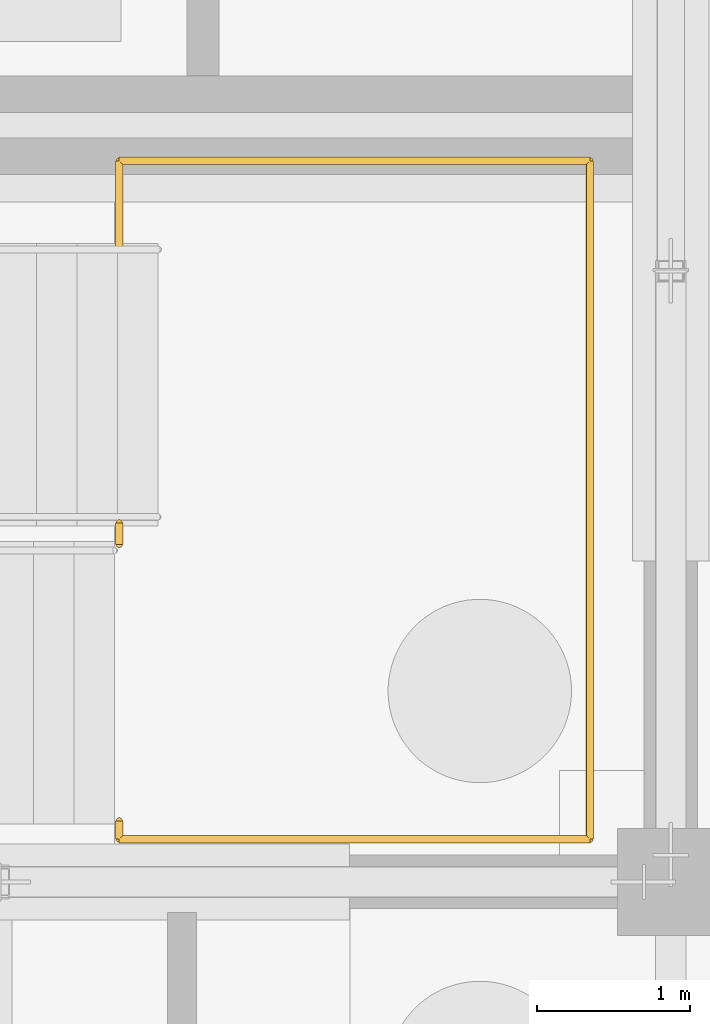
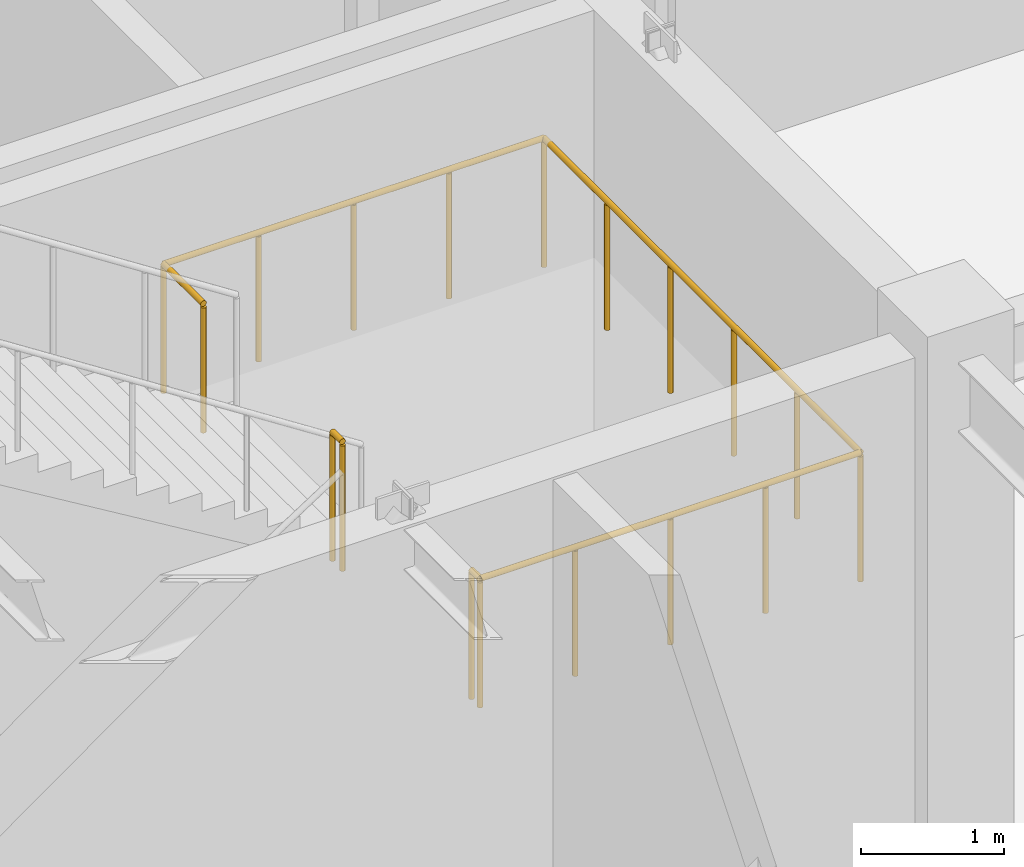
# One storey, part 68 of 72: 2 railings.
"""IFC4 building model written with IfcOpenShell, lengths in metres."""

from ifc_helpers import new_model, si_unit, direction, frame, origin, origin_2d, place, context, subcontext, project, spatial, circle, extrude, material, type_object, element, save


model = new_model("IFC4")

# Units and contexts
model_context = context("Model", 3, precision=1e-05, world=origin(), true_north=direction((0.0, 1.0)))
body_context = subcontext(model_context, "Body", "Model", "MODEL_VIEW")
ifc_project = project(units=[si_unit("LENGTHUNIT", "METRE"), si_unit("AREAUNIT", "SQUARE_METRE"), si_unit("VOLUMEUNIT", "CUBIC_METRE"), si_unit("PLANEANGLEUNIT", "RADIAN"), si_unit("MASSUNIT", "GRAM", prefix="KILO")], contexts=[model_context])

# Site, building, storey
site_placement = place(None, origin())
site = spatial("IfcSite", under=ifc_project, at=site_placement, CompositionType="ELEMENT")
building_placement = place(site_placement, origin())
building = spatial("IfcBuilding", under=site, at=building_placement, Name="Zhaolan Boulevard Law Courts", CompositionType="ELEMENT")
storey_placement = place(building_placement, frame((0.0, 0.0, -4.800048828125)))
storey = spatial("IfcBuildingStorey", under=building, at=storey_placement, Name="B1", CompositionType="ELEMENT", Elevation=-4.800048828125)

# Railings
ifc_material = material(Name="Powder-coated steel baluster guardrail", Category="steel")
railing_type = type_object("IfcRailingType", Name="STAIR WELL GUARDRAIL 1120", PredefinedType="GUARDRAIL", material=ifc_material)
railing_1_placement = place(storey_placement, frame((22.7900390625, 46.39990234375, 2.400146484375)))
element("IfcRailing", 1, at=railing_1_placement, inside=storey, type_object=railing_type, Name="Half-Landing Guardrail SG-ST01-B1-M", PredefinedType="GUARDRAIL", context=body_context, shape_type="SweptSolid", body=[
    extrude(circle(Radius=0.02392578125, at=origin_2d()), frame((0.0, 0.0, 1.09619140625), z_axis=(0.0, -1.0, 0.0), x_axis=(1.0, 0.0, 0.0)), (0.0, 0.0, 1.0), 0.119873046875),
    extrude(circle(Radius=0.02392578125, at=origin_2d()), frame((0.0, -0.119873046875, 1.09619140625), z_axis=(1.0, 0.0, 0.0), x_axis=(0.0, 1.0, 0.0)), (0.0, 0.0, 1.0), 3.080078125),
    extrude(circle(Radius=0.02392578125, at=origin_2d()), frame((3.080078125, -0.119873046875, 1.09619140625), z_axis=(0.0, 1.0, 0.0), x_axis=(-1.0, 0.0, 0.0)), (0.0, 0.0, 1.0), 4.43994140625),
    extrude(circle(Radius=0.02392578125, at=origin_2d()), frame((3.080078125, 4.320068359375, 1.09619140625), z_axis=(-1.0, 0.0, 0.0), x_axis=(0.0, -1.0, 0.0)), (0.0, 0.0, 1.0), 3.080078125),
    extrude(circle(Radius=0.02392578125, at=origin_2d()), frame((0.0, 4.320068359375, 1.09619140625), z_axis=(0.0, -1.0, 0.0), x_axis=(1.0, 0.0, 0.0)), (0.0, 0.0, 1.0), 0.56005859375),
    extrude(circle(Radius=0.02099609375, at=origin_2d()), origin(), (0.0, 0.0, 1.0), 1.072021484375),
    extrude(circle(Radius=0.02099609375, at=origin_2d()), frame((0.0, -0.119873046875, 0.0)), (0.0, 0.0, 1.0), 1.072021484375),
    extrude(circle(Radius=0.02099609375, at=origin_2d()), frame((0.77001953125, -0.119873046875, 0.0)), (0.0, 0.0, 1.0), 1.072021484375),
    extrude(circle(Radius=0.02099609375, at=origin_2d()), frame((1.5400390625, -0.119873046875, 0.0)), (0.0, 0.0, 1.0), 1.072021484375),
    extrude(circle(Radius=0.02099609375, at=origin_2d()), frame((2.31005859375, -0.119873046875, 0.0)), (0.0, 0.0, 1.0), 1.072021484375),
    extrude(circle(Radius=0.02099609375, at=origin_2d()), frame((3.080078125, -0.119873046875, 0.0)), (0.0, 0.0, 1.0), 1.072021484375),
    extrude(circle(Radius=0.02099609375, at=origin_2d()), frame((3.080078125, 0.76806640625, 0.0)), (0.0, 0.0, 1.0), 1.072021484375),
    extrude(circle(Radius=0.02099609375, at=origin_2d()), frame((3.080078125, 1.656005859375, 0.0)), (0.0, 0.0, 1.0), 1.072021484375),
    extrude(circle(Radius=0.02099609375, at=origin_2d()), frame((3.080078125, 2.544189453125, 0.0)), (0.0, 0.0, 1.0), 1.072021484375),
    extrude(circle(Radius=0.02099609375, at=origin_2d()), frame((3.080078125, 3.43212890625, 0.0)), (0.0, 0.0, 1.0), 1.072021484375),
    extrude(circle(Radius=0.02099609375, at=origin_2d()), frame((3.080078125, 4.320068359375, 0.0)), (0.0, 0.0, 1.0), 1.072021484375),
    extrude(circle(Radius=0.02099609375, at=origin_2d()), frame((2.31005859375, 4.320068359375, 0.0)), (0.0, 0.0, 1.0), 1.072021484375),
    extrude(circle(Radius=0.02099609375, at=origin_2d()), frame((1.5400390625, 4.320068359375, 0.0)), (0.0, 0.0, 1.0), 1.072021484375),
    extrude(circle(Radius=0.02099609375, at=origin_2d()), frame((0.77001953125, 4.320068359375, 0.0)), (0.0, 0.0, 1.0), 1.072021484375),
    extrude(circle(Radius=0.02099609375, at=origin_2d()), frame((0.0, 4.320068359375, 0.0)), (0.0, 0.0, 1.0), 1.072021484375),
    extrude(circle(Radius=0.02099609375, at=origin_2d()), frame((0.0, 3.760009765625, 0.0)), (0.0, 0.0, 1.0), 1.072021484375),
])
railing_2_placement = place(storey_placement, frame((22.7900390625, 48.2099609375, 2.400146484375)))
element("IfcRailing", 2, at=railing_2_placement, inside=storey, type_object=railing_type, Name="Half-Landing Well Guardrail SG-ST01-B1-W", PredefinedType="GUARDRAIL", context=body_context, shape_type="SweptSolid", body=[
    extrude(circle(Radius=0.02392578125, at=origin_2d()), frame((0.0, 0.0, 1.09619140625), z_axis=(0.0, 1.0, 0.0), x_axis=(-1.0, 0.0, 0.0)), (0.0, 0.0, 1.0), 0.14013671875),
    extrude(circle(Radius=0.02099609375, at=origin_2d()), origin(), (0.0, 0.0, 1.0), 1.072021484375),
    extrude(circle(Radius=0.02099609375, at=origin_2d()), frame((0.0, 0.14013671875, 0.0)), (0.0, 0.0, 1.0), 1.072021484375),
])

save(model, "model.ifc")
